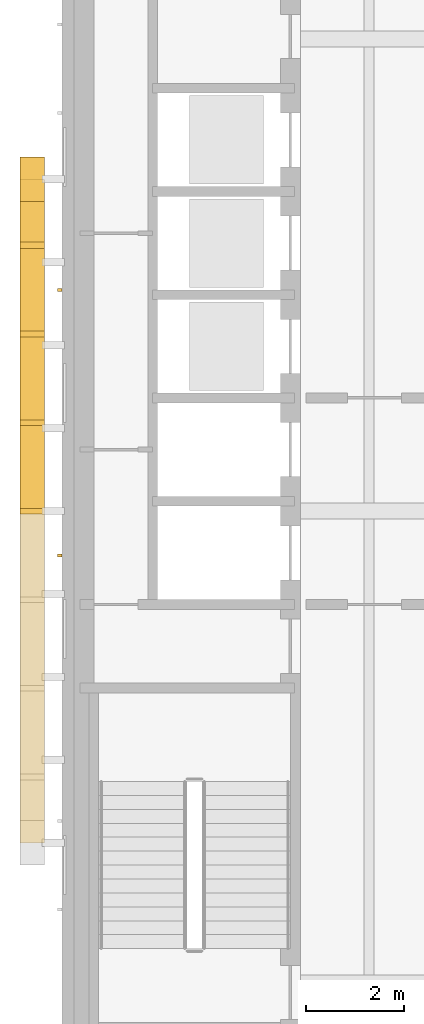
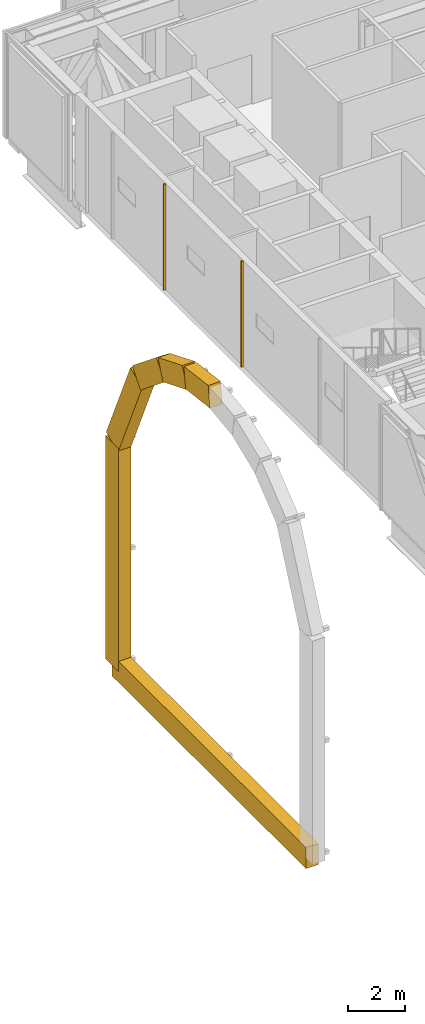
# One storey, part 19 of 26: 8 coverings.
"""IFC4 building model written with IfcOpenShell, lengths in metres."""

from ifc_helpers import new_model, si_unit, direction, frame, origin, origin_2d, place, context, subcontext, project, spatial, rectangle, extrude, material, material_profile, profile_set, type_object, element, save


model = new_model("IFC4")

# Units and contexts
model_context = context("Model", 3, precision=1e-05, world=origin(), true_north=direction((0.0, 1.0)))
body_context = subcontext(model_context, "Body", "Model", "MODEL_VIEW")
ifc_project = project(units=[si_unit("LENGTHUNIT", "METRE"), si_unit("AREAUNIT", "SQUARE_METRE"), si_unit("VOLUMEUNIT", "CUBIC_METRE"), si_unit("PLANEANGLEUNIT", "RADIAN"), si_unit("MASSUNIT", "GRAM", prefix="KILO")], contexts=[model_context])

# Site, building, storey
site_placement = place(None, origin())
site = spatial("IfcSite", under=ifc_project, at=site_placement, CompositionType="ELEMENT")
building_placement = place(site_placement, origin())
building = spatial("IfcBuilding", under=site, at=building_placement, Name="Cobrizo Arcos Hotel Tower", CompositionType="ELEMENT")
storey_placement = place(building_placement, frame((0.0, 0.0, 236.5)))
storey = spatial("IfcBuildingStorey", under=building, at=storey_placement, Name="L62", CompositionType="ELEMENT", Elevation=236.5)

# Coverings
ifc_material = material(Name="Aluminium 6063-T6 anodised pale", Category="aluminium")
ifc_material_profile = material_profile(ifc_material, rectangle(XDim=0.5, YDim=0.89990234375, at=origin_2d()), Name="AF-2 core arch rim 500x900")
ifc_profile_set = profile_set([ifc_material_profile], Name="Aluminium 6063-T6 anodised pale")
covering_type_1 = type_object("IfcCoveringType", Name="AF-2 core arch rim 500x900", PredefinedType="CLADDING", material=ifc_profile_set)
covering_1_placement = place(storey_placement, frame((-21.25, 0.0, -1.5400390625), z_axis=(0.0, 0.992131403305, -0.125200952776), x_axis=(-1.0, 0.0, 0.0)))
element("IfcCovering", 1, at=covering_1_placement, inside=storey, type_object=covering_type_1, Name="Arch rim C W face", PredefinedType="CLADDING", context=body_context, shape_type="SweptSolid", body=[
    extrude(rectangle(XDim=0.5, YDim=0.89990234375, at=origin_2d()), origin(), (0.0, 0.0, 1.0), 1.700439453125),
])
covering_2_placement = place(storey_placement, frame((-21.25, 1.68701171875, -1.7529296875), z_axis=(0.0, 0.926634507645, -0.375963414764), x_axis=(-1.0, 0.0, 0.0)))
element("IfcCovering", 2, at=covering_2_placement, inside=storey, type_object=covering_type_1, Name="Arch rim C W face", PredefinedType="CLADDING", context=body_context, shape_type="SweptSolid", body=[
    extrude(rectangle(XDim=0.5, YDim=0.89990234375, at=origin_2d()), origin(), (0.0, 0.0, 1.0), 1.82080078125),
])
covering_3_placement = place(storey_placement, frame((-21.25, 3.374267578125, -2.4375), z_axis=(0.0, 0.777399424026, -0.6290072619), x_axis=(-1.0, 0.0, 0.0)))
element("IfcCovering", 3, at=covering_3_placement, inside=storey, type_object=covering_type_1, Name="Arch rim C W face", PredefinedType="CLADDING", context=body_context, shape_type="SweptSolid", body=[
    extrude(rectangle(XDim=0.5, YDim=0.89990234375, at=origin_2d()), origin(), (0.0, 0.0, 1.0), 2.170166015625),
])
covering_4_placement = place(storey_placement, frame((-21.25, 5.061279296875, -3.802490234375), z_axis=(0.0, 0.409445476845, -0.912334588565), x_axis=(-1.0, 0.0, 0.0)))
element("IfcCovering", 4, at=covering_4_placement, inside=storey, type_object=covering_type_1, Name="Arch rim C W face", PredefinedType="CLADDING", context=body_context, shape_type="SweptSolid", body=[
    extrude(rectangle(XDim=0.5, YDim=0.89990234375, at=origin_2d()), origin(), (0.0, 0.0, 1.0), 4.1201171875),
])
covering_5_placement = place(storey_placement, frame((-21.25, 6.748291015625, -17.050048828125), z_axis=(0.0, 0.0, 1.0), x_axis=(1.0, 0.0, 0.0)))
element("IfcCovering", 5, at=covering_5_placement, inside=storey, type_object=covering_type_1, Name="Arch rim C W face", PredefinedType="CLADDING", context=body_context, shape_type="SweptSolid", body=[
    extrude(rectangle(XDim=0.5, YDim=0.89990234375, at=origin_2d()), origin(), (0.0, 0.0, 1.0), 9.488525390625),
])
covering_6_placement = place(storey_placement, frame((-21.25, -6.748291015625, -17.050048828125), z_axis=(0.0, 1.0, 0.0), x_axis=(-1.0, 0.0, 0.0)))
element("IfcCovering", 6, at=covering_6_placement, inside=storey, type_object=covering_type_1, Name="Arch rim C W face", PredefinedType="CLADDING", context=body_context, shape_type="SweptSolid", body=[
    extrude(rectangle(XDim=0.5, YDim=0.89990234375, at=origin_2d()), origin(), (0.0, 0.0, 1.0), 13.49658203125),
])
covering_type_2 = type_object("IfcCoveringType", Name="RS-1 rainscreen rib 60x90", PredefinedType="CLADDING", material=ifc_material)
for number, where, z_axis, x_axis, name in (
    (7, (-20.695068359375, 4.5, 0.0), (0.0, 0.0, 1.0), (0.0, -1.0, 0.0), "Rainscreen rib 89"),
    (8, (-20.695068359375, -0.89990234375, 0.0), (0.0, 0.0, 1.0), (0.0, -1.0, 0.0), "Rainscreen rib 90"),
):
    element("IfcCovering", number, at=place(storey_placement, frame(where, z_axis=z_axis, x_axis=x_axis)), inside=storey, type_object=covering_type_2, Name=name, PredefinedType="CLADDING", context=body_context, shape_type="SweptSolid", body=[
        extrude(rectangle(XDim=0.06005859375, YDim=0.090087890625, at=origin_2d()), origin(), (0.0, 0.0, 1.0), 4.5),
    ])

save(model, "model.ifc")
